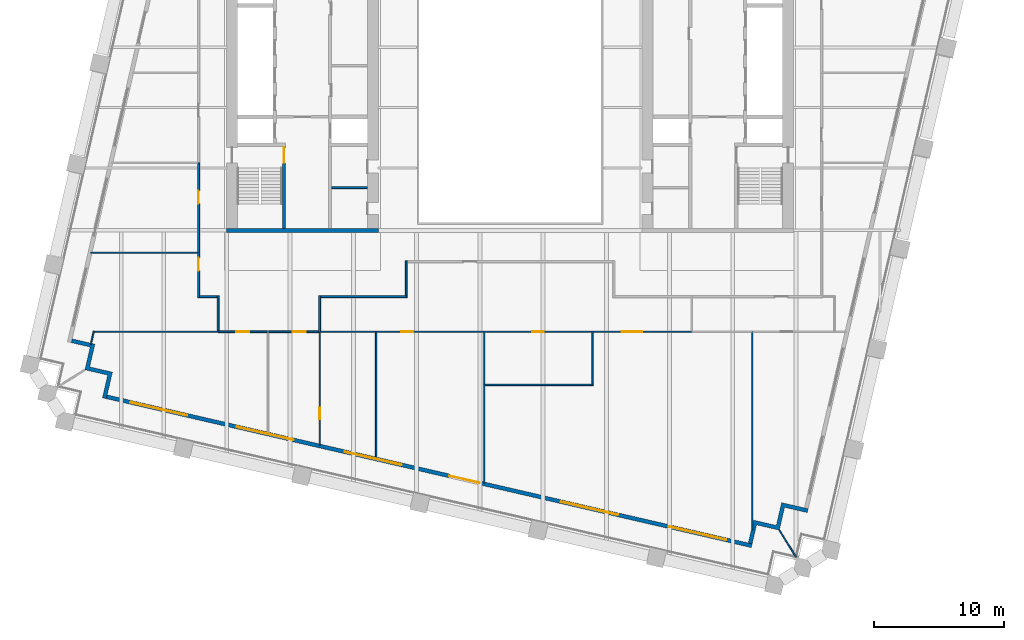
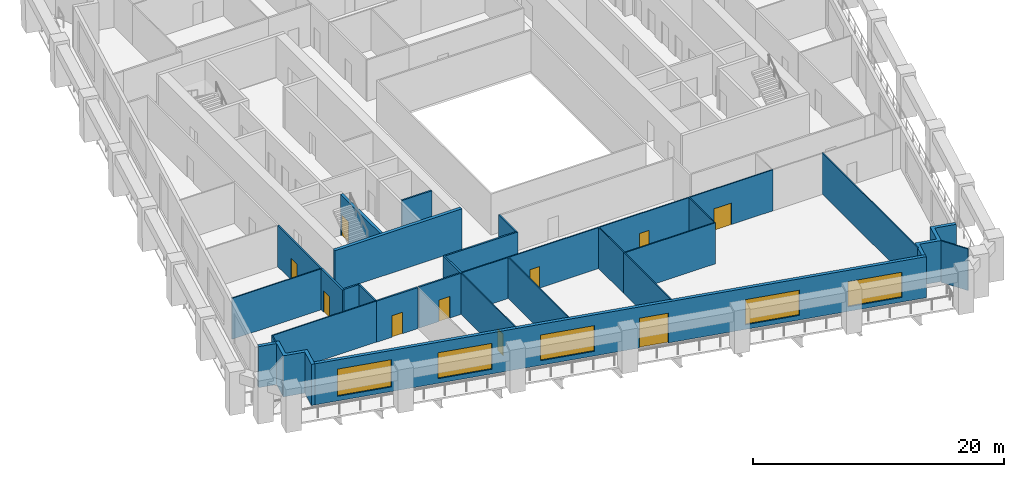
# One storey, part 4 of 11: 30 walls, 10 doors, 5 windows, 15 openings.
"""IFC4 building model written with IfcOpenShell, lengths in metres."""

import ifcopenshell
import ifcopenshell.guid

model = None  # the IFC model being written
_history = None  # IfcOwnerHistory: only IFC2X3 demands one
_inside = {}  # id of a spatial element -> (the spatial element, [elements in it])
_under = {}  # id of a project, library or spatial element -> (it, [spatial elements below it])
_declared = {}  # id of a project -> (the project, [libraries it declares])
_typed = {}  # id of a type object -> (the type object, [elements of that type])
_made_of = {}  # id of a material, layer set ... -> (it, [elements and type objects made of it])


def new_model(schema):
    """Start an empty IFC model of exactly this schema.

    Asked for "IFC4X3", IfcOpenShell would pick the latest addendum, in which some entities
    have other attributes; the version numbers below select the first issue.
    IFC2X3 requires an IfcOwnerHistory on every rooted entity: one is made here for all.
    """
    global model, _history
    if schema == "IFC4X3":
        model = ifcopenshell.file(schema_version=(4, 3, 0, 0))
    else:
        model = ifcopenshell.file(schema=schema)
    _inside.clear()
    _under.clear()
    _declared.clear()
    _typed.clear()
    _made_of.clear()
    _history = None
    if model.schema == "IFC2X3":
        org = make("IfcOrganization", Name="unknown")
        user = make(
            "IfcPersonAndOrganization",
            ThePerson=make("IfcPerson", FamilyName="unknown"),
            TheOrganization=org,
        )
        app = make(
            "IfcApplication",
            ApplicationDeveloper=org,
            Version="unknown",
            ApplicationFullName="unknown",
            ApplicationIdentifier="unknown",
        )
        _history = make(
            "IfcOwnerHistory",
            OwningUser=user,
            OwningApplication=app,
            ChangeAction="ADDED",
            CreationDate=0,
        )
    return model


def make(cls, **values):
    """One entity of the class cls with the attributes given. An attribute that is None is left unset."""
    return model.create_entity(
        cls, **{name: value for name, value in values.items() if value is not None}
    )


def rooted(cls, **values):
    """An entity with a GlobalId (a new one), such as an element, a storey or a relation."""
    return make(cls, GlobalId=ifcopenshell.guid.new(), OwnerHistory=_history, **values)


def si_unit(unit_type, name, prefix=None):
    """IfcSIUnit, for example si_unit("LENGTHUNIT", "METRE", prefix="MILLI")."""
    return make("IfcSIUnit", UnitType=unit_type, Prefix=prefix, Name=name)


def assignment(units):
    """IfcUnitAssignment: the units of a project."""
    return None if units is None else make("IfcUnitAssignment", Units=units)


def point(xyz):
    """IfcCartesianPoint."""
    return None if xyz is None else make("IfcCartesianPoint", Coordinates=xyz)


def direction(xyz):
    """IfcDirection."""
    return None if xyz is None else make("IfcDirection", DirectionRatios=xyz)


def frame(location, z_axis=None, x_axis=None):
    """IfcAxis2Placement3D, a coordinate frame: its origin and axes. An axis left out is left unset."""
    return make(
        "IfcAxis2Placement3D",
        Location=point(location),
        Axis=direction(z_axis),
        RefDirection=direction(x_axis),
    )


def frame_2d(location, x_axis=None):
    """IfcAxis2Placement2D, a coordinate frame in the plane: its origin and x axis."""
    return make(
        "IfcAxis2Placement2D", Location=point(location), RefDirection=direction(x_axis)
    )


def origin():
    """The frame at (0, 0, 0) with its axes left unset."""
    return frame((0.0, 0.0, 0.0))


def place(relative_to, where):
    """IfcLocalPlacement: puts the frame where relative to a parent placement (None: the world)."""
    return make(
        "IfcLocalPlacement", PlacementRelTo=relative_to, RelativePlacement=where
    )


def context(
    kind, dimensions, precision=None, world=None, true_north=None, identifier=None
):
    """IfcGeometricRepresentationContext, for example the 3D "Model" context."""
    return make(
        "IfcGeometricRepresentationContext",
        ContextIdentifier=identifier,
        ContextType=kind,
        CoordinateSpaceDimension=dimensions,
        Precision=precision,
        WorldCoordinateSystem=world,
        TrueNorth=true_north,
    )


def subcontext(parent, identifier, kind, view, scale=None):
    """IfcGeometricRepresentationSubContext, for example "Body" below "Model"."""
    return make(
        "IfcGeometricRepresentationSubContext",
        ContextIdentifier=identifier,
        ContextType=kind,
        ParentContext=parent,
        TargetScale=scale,
        TargetView=view,
    )


def project(units=None, contexts=None):
    """IfcProject with its units and contexts."""
    return rooted(
        "IfcProject",
        Name="project",
        RepresentationContexts=contexts,
        UnitsInContext=assignment(units),
    )


def spatial(cls, under=None, at=None, **own):
    """A site, building, storey or space (cls), placed at a placement, below another one or the project."""
    s = rooted(cls, ObjectPlacement=at, **own)
    if under is not None:
        _under.setdefault(under.id(), (under, []))[1].append(s)
    return s


def polyline(points):
    """IfcPolyline through the points."""
    return make("IfcPolyline", Points=[point(p) for p in points])


def profile(cls, at=None, kind="AREA", **sizes):
    """A parametric profile (cls). Its sizes go by their IFC names, for example OverallWidth=200.0."""
    return make(cls, ProfileType=kind, Position=at, **sizes)


def rectangle(**sizes):
    """IfcRectangleProfileDef."""
    return profile("IfcRectangleProfileDef", **sizes)


def outline(outer, holes=None, kind="AREA"):
    """IfcArbitraryClosedProfileDef: a profile drawn as a closed curve; with holes, ...WithVoids."""
    if holes is None:
        return make("IfcArbitraryClosedProfileDef", ProfileType=kind, OuterCurve=outer)
    return make(
        "IfcArbitraryProfileDefWithVoids",
        ProfileType=kind,
        OuterCurve=outer,
        InnerCurves=holes,
    )


def extrude(swept, where, along, depth):
    """IfcExtrudedAreaSolid: the profile swept, set in the frame where, extruded along a direction by depth."""
    return make(
        "IfcExtrudedAreaSolid",
        SweptArea=swept,
        Position=where,
        ExtrudedDirection=direction(along),
        Depth=depth,
    )


def shape(context_of_items, identifier, shape_type, items):
    """IfcShapeRepresentation: the items that make up one representation, for example the "Body"."""
    return make(
        "IfcShapeRepresentation",
        ContextOfItems=context_of_items,
        RepresentationIdentifier=identifier,
        RepresentationType=shape_type,
        Items=items,
    )


def material(Name=None, Category=None):
    """IfcMaterial."""
    return make("IfcMaterial", Name=Name, Category=Category)


def layer(
    of_material, thickness, ventilated=None, Name=None, Category=None, Priority=None
):
    """IfcMaterialLayer: one layer of a wall or slab, of a material (None: an air gap)."""
    return make(
        "IfcMaterialLayer",
        Material=of_material,
        LayerThickness=thickness,
        IsVentilated=ventilated,
        Name=Name,
        Category=Category,
        Priority=Priority,
    )


def layer_set(layers, Name=None):
    """IfcMaterialLayerSet."""
    return make("IfcMaterialLayerSet", MaterialLayers=layers, LayerSetName=Name)


def made_of(thing, what):
    """Note that an element or type object is made of a material, layer set ...; save() writes the relation."""
    if what is not None:
        _made_of.setdefault(what.id(), (what, []))[1].append(thing)
    return thing


def type_object(cls, material=None, **own):
    """A type object (cls), such as IfcWallType, which elements share."""
    return made_of(rooted(cls, **own), material)


def element(
    cls,
    number,
    at=None,
    inside=None,
    cuts=None,
    type_object=None,
    material=None,
    context=None,
    identifier="Body",
    shape_type=None,
    held_by="IfcProductDefinitionShape",
    body=None,
    shapes=None,
    **own,
):
    """One element of the class cls, such as IfcWall. Its Tag is "e" and its number.

    at: its placement. inside: the storey or other place that contains it. cuts: it is an
    opening in that element (IfcRelVoidsElement). A single representation is given by context,
    identifier, shape_type and body (its items); several are given by shapes. held_by: the class
    of the entity that holds the representations. save() writes the other relations.
    """
    e = rooted(cls, Tag="e%d" % number, ObjectPlacement=at, **own)
    if body is not None:
        shapes = [shape(context, identifier, shape_type, body)]
    if shapes is not None:
        e.Representation = make(held_by, Representations=shapes)
    if inside is not None:
        _inside.setdefault(inside.id(), (inside, []))[1].append(e)
    if cuts is not None:
        rooted(
            "IfcRelVoidsElement", RelatingBuildingElement=cuts, RelatedOpeningElement=e
        )
    if type_object is not None:
        _typed.setdefault(type_object.id(), (type_object, []))[1].append(e)
    return made_of(e, material)


def fill(opening, filler):
    """IfcRelFillsElement: the door or window that sits in an opening."""
    return rooted(
        "IfcRelFillsElement",
        RelatingOpeningElement=opening,
        RelatedBuildingElement=filler,
    )


def aggregate(whole, parts):
    """IfcRelAggregates: a whole, such as a stair, and the parts it consists of."""
    return rooted("IfcRelAggregates", RelatingObject=whole, RelatedObjects=parts)


def save(model, path):
    """Write the relations noted so far, then the file.

    IfcRelAggregates (storeys below a building ...), IfcRelContainedInSpatialStructure (elements
    in a storey), IfcRelDefinesByType, IfcRelAssociatesMaterial and IfcRelDeclares: one each for
    every whole, place, type object, material and project.
    """
    for whole, parts in _under.values():
        aggregate(whole, parts)
    for where, things in _inside.values():
        rooted(
            "IfcRelContainedInSpatialStructure",
            RelatedElements=things,
            RelatingStructure=where,
        )
    for kind, things in _typed.values():
        rooted("IfcRelDefinesByType", RelatedObjects=things, RelatingType=kind)
    for what, things in _made_of.values():
        rooted("IfcRelAssociatesMaterial", RelatedObjects=things, RelatingMaterial=what)
    for by, libraries in _declared.values():
        rooted("IfcRelDeclares", RelatingContext=by, RelatedDefinitions=libraries)
    model.write(path)


model = new_model("IFC4")

# Units and contexts
model_context = context("Model", 3, precision=1e-05, world=origin(), true_north=direction((0.0, 1.0)))
body_context = subcontext(model_context, "Body", "Model", "MODEL_VIEW")
ifc_project = project(units=[si_unit("LENGTHUNIT", "METRE"), si_unit("AREAUNIT", "SQUARE_METRE"), si_unit("VOLUMEUNIT", "CUBIC_METRE"), si_unit("PLANEANGLEUNIT", "RADIAN"), si_unit("MASSUNIT", "GRAM", prefix="KILO")], contexts=[model_context])

# Site, building, storey
site_placement = place(None, origin())
site = spatial("IfcSite", under=ifc_project, at=site_placement, CompositionType="ELEMENT")
building_placement = place(site_placement, origin())
building = spatial("IfcBuilding", under=site, at=building_placement, Name="Ogive Exchange Tower", CompositionType="ELEMENT")
storey_placement = place(building_placement, frame((0.0, 0.0, 109.800048828125)))
storey = spatial("IfcBuildingStorey", under=building, at=storey_placement, Name="L23", CompositionType="ELEMENT", Elevation=109.800048828125)

# Wall
ifc_material_1 = material(Name="Gypsum board partition")
ifc_layer_1 = layer(ifc_material_1, 0.14990234375)
ifc_layer_set_1 = layer_set([ifc_layer_1], Name="Core room partition 150 gypsum")
wall_type_1 = type_object("IfcWallType", Name="Core room partition 150 gypsum", PredefinedType="PARTITIONING", material=ifc_layer_set_1)
wall_1_placement = place(storey_placement, frame((-13.75, 0.699951171875, 0.0), z_axis=(0.0, 0.0, 1.0), x_axis=(1.0, 0.0, 0.0)))
element("IfcWall", 1, at=wall_1_placement, inside=storey, type_object=wall_type_1, Name="W south room partition", PredefinedType="PARTITIONING", context=body_context, shape_type="SweptSolid", body=[
    extrude(rectangle(XDim=2.75, YDim=0.14990234375, at=frame_2d((1.375, 0.0))), origin(), (0.0, 0.0, 1.0), 4.0),
])

# Wall, opening, door
ifc_material_2 = material(Name="Fire partition EI 60 150")
ifc_layer_2 = layer(ifc_material_2, 0.14990234375)
ifc_layer_set_2 = layer_set([ifc_layer_2], Name="Fire partition EI 60 150")
wall_type_2 = type_object("IfcWallType", Name="Fire partition EI 60 150", PredefinedType="PARTITIONING", material=ifc_layer_set_2)
wall_2_placement = place(storey_placement, frame((-24.0, -7.77490234375, 0.0), z_axis=(0.0, 0.0, 1.0), x_axis=(0.0, 1.0, 0.0)))
wall_2 = element("IfcWall", 2, at=wall_2_placement, inside=storey, type_object=wall_type_2, Name="L23-PWL-003", PredefinedType="PARTITIONING", context=body_context, shape_type="SweptSolid", body=[
    extrude(rectangle(XDim=3.454833984375, YDim=0.14990234375, at=frame_2d((1.7275390625, 0.0))), origin(), (0.0, 0.0, 1.0), 4.0),
])
opening_1_placement = place(wall_2_placement, frame((2.054931640625, 0.0, 0.0)))
opening_1 = element("IfcOpeningElement", 3, at=opening_1_placement, cuts=wall_2, Name="Opening L23-I21", PredefinedType="OPENING", context=body_context, shape_type="SweptSolid", body=[
    extrude(rectangle(XDim=1.0, YDim=2.10009765625, at=frame_2d((0.5, 1.050048828125))), frame((0.0, 0.0849609375, 0.0), z_axis=(0.0, -1.0, 0.0), x_axis=(1.0, 0.0, 0.0)), (0.0, 0.0, 1.0), 0.169921875),
])
ifc_material_3 = material(Name="Fire door FD 30S 1000 x 2100")
door_type_1 = type_object("IfcDoorType", Name="Fire door FD 30S 1000 x 2100", OperationType="NOTDEFINED", PredefinedType="DOOR", material=ifc_material_3)
door_1_placement = place(opening_1_placement, origin())
door_1 = element("IfcDoor", 4, at=door_1_placement, inside=storey, type_object=door_type_1, Name="L23-IDR-021", ObjectType="DT3", OperationType="SINGLE_SWING_LEFT", OverallHeight=2.10009765625, OverallWidth=1.0, PredefinedType="DOOR", context=body_context, shape_type="SweptSolid", body=[
    extrude(rectangle(XDim=1.0, YDim=2.10009765625, at=frame_2d((0.5, 1.050048828125))), frame((0.0, 0.02490234375, 0.0), z_axis=(0.0, -1.0, 0.0), x_axis=(1.0, 0.0, 0.0)), (0.0, 0.0, 1.0), 0.050048828125),
])
fill(opening_1, door_1)

wall_3_placement = place(storey_placement, frame((-24.0, -4.320068359375, 0.0), z_axis=(0.0, 0.0, 1.0), x_axis=(0.0, 1.0, 0.0)))
wall_3 = element("IfcWall", 5, at=wall_3_placement, inside=storey, type_object=wall_type_2, Name="L23-PWL-005", PredefinedType="PARTITIONING", context=body_context, shape_type="SweptSolid", body=[
    extrude(rectangle(XDim=6.93017578125, YDim=0.14990234375, at=frame_2d((3.465087890625, 0.0))), origin(), (0.0, 0.0, 1.0), 4.0),
])
opening_2_placement = place(wall_3_placement, frame((3.780029296875, 0.0, 0.0)))
opening_2 = element("IfcOpeningElement", 6, at=opening_2_placement, cuts=wall_3, Name="Opening L23-I20", PredefinedType="OPENING", context=body_context, shape_type="SweptSolid", body=[
    extrude(rectangle(XDim=1.0, YDim=2.10009765625, at=frame_2d((0.5, 1.050048828125))), frame((0.0, 0.0849609375, 0.0), z_axis=(0.0, -1.0, 0.0), x_axis=(1.0, 0.0, 0.0)), (0.0, 0.0, 1.0), 0.169921875),
])
door_2_placement = place(opening_2_placement, origin())
door_2 = element("IfcDoor", 7, at=door_2_placement, inside=storey, type_object=door_type_1, Name="L23-IDR-020", ObjectType="DT3", OperationType="SINGLE_SWING_LEFT", OverallHeight=2.10009765625, OverallWidth=1.0, PredefinedType="DOOR", context=body_context, shape_type="SweptSolid", body=[
    extrude(rectangle(XDim=1.0, YDim=2.10009765625, at=frame_2d((0.5, 1.050048828125))), frame((0.0, 0.02490234375, 0.0), z_axis=(0.0, -1.0, 0.0), x_axis=(1.0, 0.0, 0.0)), (0.0, 0.0, 1.0), 0.050048828125),
])
fill(opening_2, door_2)

# Walls
wall_4_placement = place(storey_placement, frame((-22.5, -10.360107421875, 0.0), z_axis=(0.0, 0.0, 1.0), x_axis=(0.0, 1.0, 0.0)))
element("IfcWall", 8, at=wall_4_placement, inside=storey, type_object=wall_type_2, Name="L23-PWL-013", PredefinedType="PARTITIONING", context=body_context, shape_type="SweptSolid", body=[
    extrude(rectangle(XDim=2.735107421875, YDim=0.14990234375, at=frame_2d((1.36767578125, 0.0))), origin(), (0.0, 0.0, 1.0), 4.0),
])
wall_5_placement = place(storey_placement, frame((-22.574951171875, -7.699951171875, 0.0), z_axis=(0.0, 0.0, 1.0), x_axis=(-1.0, 0.0, 0.0)))
element("IfcWall", 9, at=wall_5_placement, inside=storey, type_object=wall_type_2, Name="L23-PWL-014", PredefinedType="PARTITIONING", context=body_context, shape_type="SweptSolid", body=[
    extrude(rectangle(XDim=1.35009765625, YDim=0.14990234375, at=frame_2d((0.675048828125, 0.0))), origin(), (0.0, 0.0, 1.0), 4.0),
])

# Wall, opening, door
wall_6_placement = place(storey_placement, frame((-18.699951171875, -10.409912109375, 0.0), z_axis=(0.0, 0.0, 1.0), x_axis=(-1.0, 0.0, 0.0)))
wall_6 = element("IfcWall", 10, at=wall_6_placement, inside=storey, type_object=wall_type_2, Name="L23-PWL-016", PredefinedType="PARTITIONING", context=body_context, shape_type="SweptSolid", body=[
    extrude(rectangle(XDim=3.800048828125, YDim=0.14990234375, at=frame_2d((1.89990234375, 0.0))), origin(), (0.0, 0.0, 1.0), 4.0),
])
opening_3_placement = place(wall_6_placement, frame((1.39990234375, 0.0, 0.0)))
opening_3 = element("IfcOpeningElement", 11, at=opening_3_placement, cuts=wall_6, Name="Opening L23-I28", PredefinedType="OPENING", context=body_context, shape_type="SweptSolid", body=[
    extrude(rectangle(XDim=1.0, YDim=2.10009765625, at=frame_2d((0.5, 1.050048828125))), frame((0.0, 0.0849609375, 0.0), z_axis=(0.0, -1.0, 0.0), x_axis=(1.0, 0.0, 0.0)), (0.0, 0.0, 1.0), 0.169921875),
])
door_3_placement = place(opening_3_placement, origin())
door_3 = element("IfcDoor", 12, at=door_3_placement, inside=storey, type_object=door_type_1, Name="L23-IDR-028", ObjectType="DT3", OperationType="SINGLE_SWING_RIGHT", OverallHeight=2.10009765625, OverallWidth=1.0, PredefinedType="DOOR", context=body_context, shape_type="SweptSolid", body=[
    extrude(rectangle(XDim=1.0, YDim=2.10009765625, at=frame_2d((0.5, 1.050048828125))), frame((0.0, 0.02490234375, 0.0), z_axis=(0.0, -1.0, 0.0), x_axis=(1.0, 0.0, 0.0)), (0.0, 0.0, 1.0), 0.050048828125),
])
fill(opening_3, door_3)

wall_7_placement = place(storey_placement, frame((-14.719970703125, -10.409912109375, 0.0), z_axis=(0.0, 0.0, 1.0), x_axis=(-1.0, 0.0, 0.0)))
wall_7 = element("IfcWall", 13, at=wall_7_placement, inside=storey, type_object=wall_type_2, Name="L23-PWL-023", PredefinedType="PARTITIONING", context=body_context, shape_type="SweptSolid", body=[
    extrude(rectangle(XDim=3.880126953125, YDim=0.14990234375, at=frame_2d((1.93994140625, 0.0))), origin(), (0.0, 0.0, 1.0), 4.0),
])
opening_4_placement = place(wall_7_placement, frame((1.030029296875, 0.0, 0.0)))
opening_4 = element("IfcOpeningElement", 14, at=opening_4_placement, cuts=wall_7, Name="Opening L23-I27", PredefinedType="OPENING", context=body_context, shape_type="SweptSolid", body=[
    extrude(rectangle(XDim=1.0, YDim=2.10009765625, at=frame_2d((0.5, 1.050048828125))), frame((0.0, 0.0849609375, 0.0), z_axis=(0.0, -1.0, 0.0), x_axis=(1.0, 0.0, 0.0)), (0.0, 0.0, 1.0), 0.169921875),
])
door_4_placement = place(opening_4_placement, origin())
door_4 = element("IfcDoor", 15, at=door_4_placement, inside=storey, type_object=door_type_1, Name="L23-IDR-027", ObjectType="DT3", OperationType="SINGLE_SWING_RIGHT", OverallHeight=2.10009765625, OverallWidth=1.0, PredefinedType="DOOR", context=body_context, shape_type="SweptSolid", body=[
    extrude(rectangle(XDim=1.0, YDim=2.10009765625, at=frame_2d((0.5, 1.050048828125))), frame((0.0, 0.02490234375, 0.0), z_axis=(0.0, -1.0, 0.0), x_axis=(1.0, 0.0, 0.0)), (0.0, 0.0, 1.0), 0.050048828125),
])
fill(opening_4, door_4)

# Walls
wall_8_placement = place(storey_placement, frame((-14.669921875, -7.625, 0.0), z_axis=(0.0, 0.0, 1.0), x_axis=(0.0, -1.0, 0.0)))
element("IfcWall", 16, at=wall_8_placement, inside=storey, type_object=wall_type_2, Name="L23-PWL-024", PredefinedType="PARTITIONING", context=body_context, shape_type="SweptSolid", body=[
    extrude(rectangle(XDim=2.8349609375, YDim=0.14990234375, at=frame_2d((1.41748046875, 0.0))), origin(), (0.0, 0.0, 1.0), 4.0),
])
wall_9_placement = place(storey_placement, frame((-7.925048828125, -7.699951171875, 0.0), z_axis=(0.0, 0.0, 1.0), x_axis=(-1.0, 0.0, 0.0)))
element("IfcWall", 17, at=wall_9_placement, inside=storey, type_object=wall_type_2, Name="L23-PWL-030", PredefinedType="PARTITIONING", context=body_context, shape_type="SweptSolid", body=[
    extrude(rectangle(XDim=6.669921875, YDim=0.14990234375, at=frame_2d((3.3349609375, 0.0))), origin(), (0.0, 0.0, 1.0), 4.0),
])
wall_10_placement = place(storey_placement, frame((-8.0, -4.925048828125, 0.0), z_axis=(0.0, 0.0, 1.0), x_axis=(0.0, -1.0, 0.0)))
element("IfcWall", 18, at=wall_10_placement, inside=storey, type_object=wall_type_2, Name="L23-PWL-031", PredefinedType="PARTITIONING", context=body_context, shape_type="SweptSolid", body=[
    extrude(rectangle(XDim=2.699951171875, YDim=0.14990234375, at=frame_2d((1.35009765625, 0.0))), origin(), (0.0, 0.0, 1.0), 4.0),
])

# Wall, openings, door, windows
ifc_material_4 = material(Name="Precast concrete C40/50", Category="concrete")
ifc_layer_3 = layer(ifc_material_4, 0.300048828125)
ifc_layer_set_3 = layer_set([ifc_layer_3], Name="Limestone-faced wall 300")
wall_type_3 = type_object("IfcWallType", Name="Limestone-faced wall 300", PredefinedType="STANDARD", material=ifc_layer_set_3)
wall_11_placement = place(storey_placement, frame((-31.07763671875, -15.4208984375, 0.0), z_axis=(0.0, 0.0, 1.0), x_axis=(0.974370456532, -0.224949357493, 0.0)))
wall_11 = element("IfcWall", 19, at=wall_11_placement, inside=storey, type_object=wall_type_3, Name="External wall S1", PredefinedType="STANDARD", context=body_context, shape_type="SweptSolid", body=[
    extrude(rectangle(XDim=51.0, YDim=0.300048828125, at=frame_2d((25.5, 0.0))), origin(), (0.0, 0.0, 1.0), 4.0),
])
opening_5_placement = place(wall_11_placement, frame((1.875, 0.0, 0.449951171875)))
opening_5 = element("IfcOpeningElement", 20, at=opening_5_placement, cuts=wall_11, Name="Opening W1K", PredefinedType="OPENING", context=body_context, shape_type="SweptSolid", body=[
    extrude(rectangle(XDim=4.5, YDim=2.64990234375, at=frame_2d((2.25, 1.324951171875))), frame((0.0, 0.159912109375, 0.0), z_axis=(0.0, -1.0, 0.0), x_axis=(1.0, 0.0, 0.0)), (0.0, 0.0, 1.0), 0.320068359375),
])
opening_6_placement = place(wall_11_placement, frame((10.27490234375, 0.0, 0.449951171875)))
opening_6 = element("IfcOpeningElement", 21, at=opening_6_placement, cuts=wall_11, Name="Opening W1N", PredefinedType="OPENING", context=body_context, shape_type="SweptSolid", body=[
    extrude(rectangle(XDim=4.5, YDim=2.52490234375, at=frame_2d((2.25, 1.262451171875))), frame((0.0, 0.159912109375, 0.0), z_axis=(0.0, -1.0, 0.0), x_axis=(1.0, 0.0, 0.0)), (0.0, 0.0, 1.0), 0.320068359375),
])
opening_7_placement = place(wall_11_placement, frame((18.824951171875, 0.0, 0.449951171875)))
opening_7 = element("IfcOpeningElement", 22, at=opening_7_placement, cuts=wall_11, Name="Opening W1O", PredefinedType="OPENING", context=body_context, shape_type="SweptSolid", body=[
    extrude(rectangle(XDim=4.5, YDim=2.5, at=frame_2d((2.25, 1.25))), frame((0.0, 0.159912109375, 0.0), z_axis=(0.0, -1.0, 0.0), x_axis=(1.0, 0.0, 0.0)), (0.0, 0.0, 1.0), 0.320068359375),
])
opening_8_placement = place(wall_11_placement, frame((27.074951171875, 0.0, 0.0)))
opening_8 = element("IfcOpeningElement", 23, at=opening_8_placement, cuts=wall_11, Name="Opening D1P", PredefinedType="OPENING", context=body_context, shape_type="SweptSolid", body=[
    extrude(rectangle(XDim=2.39990234375, YDim=2.89990234375, at=frame_2d((1.199951171875, 1.449951171875))), frame((0.0, 0.159912109375, 0.0), z_axis=(0.0, -1.0, 0.0), x_axis=(1.0, 0.0, 0.0)), (0.0, 0.0, 1.0), 0.320068359375),
])
opening_9_placement = place(wall_11_placement, frame((35.925048828125, 0.0, 0.449951171875)))
opening_9 = element("IfcOpeningElement", 24, at=opening_9_placement, cuts=wall_11, Name="Opening W1Q", PredefinedType="OPENING", context=body_context, shape_type="SweptSolid", body=[
    extrude(rectangle(XDim=4.5, YDim=2.449951171875, at=frame_2d((2.25, 1.22509765625))), frame((0.0, 0.159912109375, 0.0), z_axis=(0.0, -1.0, 0.0), x_axis=(1.0, 0.0, 0.0)), (0.0, 0.0, 1.0), 0.320068359375),
])
opening_10_placement = place(wall_11_placement, frame((44.47509765625, 0.0, 0.449951171875)))
opening_10 = element("IfcOpeningElement", 25, at=opening_10_placement, cuts=wall_11, Name="Opening W1Q", PredefinedType="OPENING", context=body_context, shape_type="SweptSolid", body=[
    extrude(rectangle(XDim=4.5, YDim=2.449951171875, at=frame_2d((2.25, 1.22509765625))), frame((0.0, 0.159912109375, 0.0), z_axis=(0.0, -1.0, 0.0), x_axis=(1.0, 0.0, 0.0)), (0.0, 0.0, 1.0), 0.320068359375),
])
ifc_material_5 = material(Name="Clear glass in bronze frame", Category="glass")
door_type_2 = type_object("IfcDoorType", Name="Sliding loggia door 2400 x 2900", OperationType="DOUBLE_DOOR_SLIDING", PredefinedType="DOOR", material=ifc_material_5)
door_5_placement = place(opening_8_placement, origin())
door_5 = element("IfcDoor", 26, at=door_5_placement, inside=storey, type_object=door_type_2, Name="Loggia door S03", OperationType="DOUBLE_DOOR_SLIDING", OverallHeight=2.89990234375, OverallWidth=2.39990234375, PredefinedType="DOOR", context=body_context, shape_type="SweptSolid", body=[
    extrude(rectangle(XDim=2.39990234375, YDim=2.89990234375, at=frame_2d((1.199951171875, 1.449951171875))), frame((0.0, 0.02490234375, 0.0), z_axis=(0.0, -1.0, 0.0), x_axis=(1.0, 0.0, 0.0)), (0.0, 0.0, 1.0), 0.050048828125),
])
fill(opening_8, door_5)
window_type_1 = type_object("IfcWindowType", Name="Twin lancet window 4500 x 2450", PartitioningType="DOUBLE_PANEL_VERTICAL", PredefinedType="WINDOW", material=ifc_material_5)
window_1_placement = place(opening_9_placement, origin())
window_1 = element("IfcWindow", 27, at=window_1_placement, inside=storey, type_object=window_type_1, Name="Window S04", OverallHeight=2.449951171875, OverallWidth=4.5, PartitioningType="DOUBLE_PANEL_VERTICAL", PredefinedType="WINDOW", context=body_context, shape_type="SweptSolid", body=[
    extrude(rectangle(XDim=4.5, YDim=2.449951171875, at=frame_2d((2.25, 1.22509765625))), frame((0.0, 0.030029296875, 0.0), z_axis=(0.0, -1.0, 0.0), x_axis=(1.0, 0.0, 0.0)), (0.0, 0.0, 1.0), 0.06005859375),
])
fill(opening_9, window_1)
window_2_placement = place(opening_10_placement, origin())
window_2 = element("IfcWindow", 28, at=window_2_placement, inside=storey, type_object=window_type_1, Name="Window S05", OverallHeight=2.449951171875, OverallWidth=4.5, PartitioningType="DOUBLE_PANEL_VERTICAL", PredefinedType="WINDOW", context=body_context, shape_type="SweptSolid", body=[
    extrude(rectangle(XDim=4.5, YDim=2.449951171875, at=frame_2d((2.25, 1.22509765625))), frame((0.0, 0.030029296875, 0.0), z_axis=(0.0, -1.0, 0.0), x_axis=(1.0, 0.0, 0.0)), (0.0, 0.0, 1.0), 0.06005859375),
])
fill(opening_10, window_2)
window_type_2 = type_object("IfcWindowType", Name="Twin lancet window 4500 x 2500", PartitioningType="DOUBLE_PANEL_VERTICAL", PredefinedType="WINDOW", material=ifc_material_5)
window_3_placement = place(opening_7_placement, origin())
window_3 = element("IfcWindow", 29, at=window_3_placement, inside=storey, type_object=window_type_2, Name="Window S02", OverallHeight=2.5, OverallWidth=4.5, PartitioningType="DOUBLE_PANEL_VERTICAL", PredefinedType="WINDOW", context=body_context, shape_type="SweptSolid", body=[
    extrude(rectangle(XDim=4.5, YDim=2.5, at=frame_2d((2.25, 1.25))), frame((0.0, 0.030029296875, 0.0), z_axis=(0.0, -1.0, 0.0), x_axis=(1.0, 0.0, 0.0)), (0.0, 0.0, 1.0), 0.06005859375),
])
fill(opening_7, window_3)
window_type_3 = type_object("IfcWindowType", Name="Twin lancet window 4500 x 2525", PartitioningType="DOUBLE_PANEL_VERTICAL", PredefinedType="WINDOW", material=ifc_material_5)
window_4_placement = place(opening_6_placement, origin())
window_4 = element("IfcWindow", 30, at=window_4_placement, inside=storey, type_object=window_type_3, Name="Window S01", OverallHeight=2.52490234375, OverallWidth=4.5, PartitioningType="DOUBLE_PANEL_VERTICAL", PredefinedType="WINDOW", context=body_context, shape_type="SweptSolid", body=[
    extrude(rectangle(XDim=4.5, YDim=2.52490234375, at=frame_2d((2.25, 1.262451171875))), frame((0.0, 0.030029296875, 0.0), z_axis=(0.0, -1.0, 0.0), x_axis=(1.0, 0.0, 0.0)), (0.0, 0.0, 1.0), 0.06005859375),
])
fill(opening_6, window_4)
window_type_4 = type_object("IfcWindowType", Name="Twin lancet window 4500 x 2650", PartitioningType="DOUBLE_PANEL_VERTICAL", PredefinedType="WINDOW", material=ifc_material_5)
window_5_placement = place(opening_5_placement, origin())
window_5 = element("IfcWindow", 31, at=window_5_placement, inside=storey, type_object=window_type_4, Name="Window S00", OverallHeight=2.64990234375, OverallWidth=4.5, PartitioningType="DOUBLE_PANEL_VERTICAL", PredefinedType="WINDOW", context=body_context, shape_type="SweptSolid", body=[
    extrude(rectangle(XDim=4.5, YDim=2.64990234375, at=frame_2d((2.25, 1.324951171875))), frame((0.0, 0.030029296875, 0.0), z_axis=(0.0, -1.0, 0.0), x_axis=(1.0, 0.0, 0.0)), (0.0, 0.0, 1.0), 0.06005859375),
])
fill(opening_5, window_5)

# Walls
wall_12_placement = place(storey_placement, origin())
element("IfcWall", 32, at=wall_12_placement, inside=storey, type_object=wall_type_3, Name="External corner wall C1", PredefinedType="STANDARD", context=body_context, shape_type="SweptSolid", body=[
    extrude(outline(polyline([(20.515380859375, -25.330810546875), (20.92041015625, -23.576904296875), (22.966552734375, -24.04931640625), (22.89892578125, -24.341552734375), (21.145263671875, -23.936767578125), (20.740234375, -25.690673828125), (18.986328125, -25.28564453125), (18.64892578125, -26.747314453125), (18.356689453125, -26.6796875), (18.76171875, -24.92578125), (20.515380859375, -25.330810546875)])), origin(), (0.0, 0.0, 1.0), 4.0),
])
wall_13_placement = place(storey_placement, origin())
element("IfcWall", 33, at=wall_13_placement, inside=storey, type_object=wall_type_3, Name="External corner wall C4", PredefinedType="STANDARD", context=body_context, shape_type="SweptSolid", body=[
    extrude(outline(polyline([(-32.392822265625, -13.115966796875), (-30.638916015625, -13.52099609375), (-31.111328125, -15.56689453125), (-31.40380859375, -15.49951171875), (-30.998779296875, -13.74560546875), (-32.752685546875, -13.3408203125), (-32.34765625, -11.5869140625), (-33.809326171875, -11.24951171875), (-33.74169921875, -10.957275390625), (-31.98779296875, -11.362060546875), (-32.392822265625, -13.115966796875)])), origin(), (0.0, 0.0, 1.0), 4.0),
])
ifc_material_6 = material(Name="Laminated safety glass in steel frame", Category="steel")
ifc_layer_4 = layer(ifc_material_6, 0.10009765625)
ifc_layer_set_4 = layer_set([ifc_layer_4], Name="Loggia end screen 100")
wall_type_4 = type_object("IfcWallType", Name="Loggia end screen 100", PredefinedType="STANDARD", material=ifc_layer_set_4)
wall_14_placement = place(storey_placement, frame((20.740234375, -25.690673828125, -0.050048828125), z_axis=(0.0, 0.0, 1.0), x_axis=(0.529972121605, -0.848015064914, 0.0)))
element("IfcWall", 34, at=wall_14_placement, inside=storey, type_object=wall_type_4, Name="Loggia end screen C1", PredefinedType="STANDARD", context=body_context, shape_type="SweptSolid", body=[
    extrude(rectangle(XDim=2.454833984375, YDim=0.10009765625, at=frame_2d((1.2275390625, 0.0))), origin(), (0.0, 0.0, 1.0), 4.050048828125),
])
ifc_material_7 = material(Name="Partition 100 gypsum")
ifc_layer_5 = layer(ifc_material_7, 0.10009765625)
ifc_layer_set_5 = layer_set([ifc_layer_5], Name="Partition 100 gypsum")
wall_type_5 = type_object("IfcWallType", Name="Partition 100 gypsum", PredefinedType="PARTITIONING", material=ifc_layer_set_5)
wall_15_placement = place(storey_placement, frame((-32.069091796875, -10.361083984375, 0.0), z_axis=(0.0, 0.0, 1.0), x_axis=(-0.222987762652, -0.974821243976, 0.0)))
element("IfcWall", 35, at=wall_15_placement, inside=storey, type_object=wall_type_5, Name="L23-PWL-001", PredefinedType="PARTITIONING", context=body_context, shape_type="SweptSolid", body=[
    extrude(rectangle(XDim=1.0576171875, YDim=0.10009765625, at=frame_2d((0.52880859375, 0.0))), origin(), (0.0, 0.0, 1.0), 4.0),
])
wall_16_placement = place(storey_placement, frame((-24.074951171875, -4.320068359375, 0.0), z_axis=(0.0, 0.0, 1.0), x_axis=(-1.0, 0.0, 0.0)))
element("IfcWall", 36, at=wall_16_placement, inside=storey, type_object=wall_type_5, Name="L23-PWL-004", PredefinedType="PARTITIONING", context=body_context, shape_type="SweptSolid", body=[
    extrude(rectangle(XDim=8.217041015625, YDim=0.10009765625, at=frame_2d((4.1083984375, 0.0))), origin(), (0.0, 0.0, 1.0), 4.0),
])
wall_17_placement = place(storey_placement, frame((-22.5, -10.409912109375, 0.0), z_axis=(0.0, 0.0, 1.0), x_axis=(-1.0, 0.0, 0.0)))
element("IfcWall", 37, at=wall_17_placement, inside=storey, type_object=wall_type_5, Name="L23-PWL-012", PredefinedType="PARTITIONING", context=body_context, shape_type="SweptSolid", body=[
    extrude(rectangle(XDim=9.530029296875, YDim=0.10009765625, at=frame_2d((4.76513671875, 0.0))), origin(), (0.0, 0.0, 1.0), 4.0),
])

# Wall, opening, door
wall_18_placement = place(storey_placement, frame((-14.669921875, -19.137939453125, 0.0), z_axis=(0.0, 0.0, 1.0), x_axis=(0.0, 1.0, 0.0)))
wall_18 = element("IfcWall", 38, at=wall_18_placement, inside=storey, type_object=wall_type_5, Name="L23-PWL-022", PredefinedType="PARTITIONING", context=body_context, shape_type="SweptSolid", body=[
    extrude(rectangle(XDim=8.677978515625, YDim=0.10009765625, at=frame_2d((4.3388671875, 0.0))), origin(), (0.0, 0.0, 1.0), 4.0),
])
opening_11_placement = place(wall_18_placement, frame((1.97802734375, 0.0, 0.0)))
opening_11 = element("IfcOpeningElement", 39, at=opening_11_placement, cuts=wall_18, Name="Opening L23-I26", PredefinedType="OPENING", context=body_context, shape_type="SweptSolid", body=[
    extrude(rectangle(XDim=0.89990234375, YDim=2.10009765625, at=frame_2d((0.449951171875, 1.050048828125))), frame((0.0, 0.06005859375, 0.0), z_axis=(0.0, -1.0, 0.0), x_axis=(1.0, 0.0, 0.0)), (0.0, 0.0, 1.0), 0.1201171875),
])
ifc_material_8 = material(Name="Door 900 x 2100")
door_type_3 = type_object("IfcDoorType", Name="Door 900 x 2100", OperationType="NOTDEFINED", PredefinedType="DOOR", material=ifc_material_8)
door_6_placement = place(opening_11_placement, origin())
door_6 = element("IfcDoor", 40, at=door_6_placement, inside=storey, type_object=door_type_3, Name="L23-IDR-026", ObjectType="DT1", OperationType="SINGLE_SWING_RIGHT", OverallHeight=2.10009765625, OverallWidth=0.89990234375, PredefinedType="DOOR", context=body_context, shape_type="SweptSolid", body=[
    extrude(rectangle(XDim=0.89990234375, YDim=2.10009765625, at=frame_2d((0.449951171875, 1.050048828125))), frame((0.0, 0.02490234375, 0.0), z_axis=(0.0, -1.0, 0.0), x_axis=(1.0, 0.0, 0.0)), (0.0, 0.0, 1.0), 0.050048828125),
])
fill(opening_11, door_6)

# Walls
wall_19_placement = place(storey_placement, frame((-10.320068359375, -20.14208984375, 0.0), z_axis=(0.0, 0.0, 1.0), x_axis=(0.0, 1.0, 0.0)))
element("IfcWall", 41, at=wall_19_placement, inside=storey, type_object=wall_type_5, Name="L23-PWL-025", PredefinedType="PARTITIONING", context=body_context, shape_type="SweptSolid", body=[
    extrude(rectangle(XDim=9.781982421875, YDim=0.10009765625, at=frame_2d((4.89111328125, 0.0))), origin(), (0.0, 0.0, 1.0), 4.0),
])
wall_20_placement = place(storey_placement, frame((-10.3701171875, -10.409912109375, 0.0), z_axis=(0.0, 0.0, 1.0), x_axis=(-1.0, 0.0, 0.0)))
element("IfcWall", 42, at=wall_20_placement, inside=storey, type_object=wall_type_5, Name="L23-PWL-026", PredefinedType="PARTITIONING", context=body_context, shape_type="SweptSolid", body=[
    extrude(rectangle(XDim=4.25, YDim=0.10009765625, at=frame_2d((2.125, 0.0))), origin(), (0.0, 0.0, 1.0), 4.0),
])
wall_21_placement = place(storey_placement, frame((-1.989990234375, -22.06494140625, 0.0), z_axis=(0.0, 0.0, 1.0), x_axis=(0.0, 1.0, 0.0)))
element("IfcWall", 43, at=wall_21_placement, inside=storey, type_object=wall_type_5, Name="L23-PWL-042", PredefinedType="PARTITIONING", context=body_context, shape_type="SweptSolid", body=[
    extrude(rectangle(XDim=7.614990234375, YDim=0.10009765625, at=frame_2d((3.8076171875, 0.0))), origin(), (0.0, 0.0, 1.0), 4.0),
])
wall_22_placement = place(storey_placement, frame((-1.989990234375, -14.449951171875, 0.0), z_axis=(0.0, 0.0, 1.0), x_axis=(0.0, 1.0, 0.0)))
element("IfcWall", 44, at=wall_22_placement, inside=storey, type_object=wall_type_5, Name="L23-PWL-043", PredefinedType="PARTITIONING", context=body_context, shape_type="SweptSolid", body=[
    extrude(rectangle(XDim=4.08984375, YDim=0.10009765625, at=frame_2d((2.044921875, 0.0))), origin(), (0.0, 0.0, 1.0), 4.0),
])
wall_23_placement = place(storey_placement, frame((-1.93994140625, -14.5, 0.0), z_axis=(0.0, 0.0, 1.0), x_axis=(1.0, 0.0, 0.0)))
element("IfcWall", 45, at=wall_23_placement, inside=storey, type_object=wall_type_5, Name="L23-PWL-044", PredefinedType="PARTITIONING", context=body_context, shape_type="SweptSolid", body=[
    extrude(rectangle(XDim=8.329833984375, YDim=0.10009765625, at=frame_2d((4.1650390625, 0.0))), origin(), (0.0, 0.0, 1.0), 4.0),
])

# Wall, opening, door
wall_24_placement = place(storey_placement, frame((-2.0400390625, -10.409912109375, 0.0), z_axis=(0.0, 0.0, 1.0), x_axis=(-1.0, 0.0, 0.0)))
wall_24 = element("IfcWall", 46, at=wall_24_placement, inside=storey, type_object=wall_type_5, Name="L23-PWL-045", PredefinedType="PARTITIONING", context=body_context, shape_type="SweptSolid", body=[
    extrude(rectangle(XDim=8.22998046875, YDim=0.10009765625, at=frame_2d((4.114990234375, 0.0))), origin(), (0.0, 0.0, 1.0), 4.0),
])
opening_12_placement = place(wall_24_placement, frame((5.429931640625, 0.0, 0.0)))
opening_12 = element("IfcOpeningElement", 47, at=opening_12_placement, cuts=wall_24, Name="Opening L23-I25", PredefinedType="OPENING", context=body_context, shape_type="SweptSolid", body=[
    extrude(rectangle(XDim=0.89990234375, YDim=2.10009765625, at=frame_2d((0.449951171875, 1.050048828125))), frame((0.0, 0.06005859375, 0.0), z_axis=(0.0, -1.0, 0.0), x_axis=(1.0, 0.0, 0.0)), (0.0, 0.0, 1.0), 0.1201171875),
])
door_7_placement = place(opening_12_placement, origin())
door_7 = element("IfcDoor", 48, at=door_7_placement, inside=storey, type_object=door_type_3, Name="L23-IDR-025", ObjectType="DT1", OperationType="SINGLE_SWING_LEFT", OverallHeight=2.10009765625, OverallWidth=0.89990234375, PredefinedType="DOOR", context=body_context, shape_type="SweptSolid", body=[
    extrude(rectangle(XDim=0.89990234375, YDim=2.10009765625, at=frame_2d((0.449951171875, 1.050048828125))), frame((0.0, 0.02490234375, 0.0), z_axis=(0.0, -1.0, 0.0), x_axis=(1.0, 0.0, 0.0)), (0.0, 0.0, 1.0), 0.050048828125),
])
fill(opening_12, door_7)

# Wall
wall_25_placement = place(storey_placement, frame((6.340087890625, -14.449951171875, 0.0), z_axis=(0.0, 0.0, 1.0), x_axis=(0.0, 1.0, 0.0)))
element("IfcWall", 49, at=wall_25_placement, inside=storey, type_object=wall_type_5, Name="L23-PWL-049", PredefinedType="PARTITIONING", context=body_context, shape_type="SweptSolid", body=[
    extrude(rectangle(XDim=4.08984375, YDim=0.10009765625, at=frame_2d((2.044921875, 0.0))), origin(), (0.0, 0.0, 1.0), 4.0),
])

# Wall, opening, door
wall_26_placement = place(storey_placement, frame((6.2900390625, -10.409912109375, 0.0), z_axis=(0.0, 0.0, 1.0), x_axis=(-1.0, 0.0, 0.0)))
wall_26 = element("IfcWall", 50, at=wall_26_placement, inside=storey, type_object=wall_type_5, Name="L23-PWL-050", PredefinedType="PARTITIONING", context=body_context, shape_type="SweptSolid", body=[
    extrude(rectangle(XDim=8.22998046875, YDim=0.10009765625, at=frame_2d((4.114990234375, 0.0))), origin(), (0.0, 0.0, 1.0), 4.0),
])
opening_13_placement = place(wall_26_placement, frame((3.679931640625, 0.0, 0.0)))
opening_13 = element("IfcOpeningElement", 51, at=opening_13_placement, cuts=wall_26, Name="Opening L23-I24", PredefinedType="OPENING", context=body_context, shape_type="SweptSolid", body=[
    extrude(rectangle(XDim=0.89990234375, YDim=2.10009765625, at=frame_2d((0.449951171875, 1.050048828125))), frame((0.0, 0.06005859375, 0.0), z_axis=(0.0, -1.0, 0.0), x_axis=(1.0, 0.0, 0.0)), (0.0, 0.0, 1.0), 0.1201171875),
])
door_8_placement = place(opening_13_placement, origin())
door_8 = element("IfcDoor", 52, at=door_8_placement, inside=storey, type_object=door_type_3, Name="L23-IDR-024", ObjectType="DT1", OperationType="SINGLE_SWING_LEFT", OverallHeight=2.10009765625, OverallWidth=0.89990234375, PredefinedType="DOOR", context=body_context, shape_type="SweptSolid", body=[
    extrude(rectangle(XDim=0.89990234375, YDim=2.10009765625, at=frame_2d((0.449951171875, 1.050048828125))), frame((0.0, 0.02490234375, 0.0), z_axis=(0.0, -1.0, 0.0), x_axis=(1.0, 0.0, 0.0)), (0.0, 0.0, 1.0), 0.050048828125),
])
fill(opening_13, door_8)

wall_27_placement = place(storey_placement, frame((14.050048828125, -10.409912109375, 0.0), z_axis=(0.0, 0.0, 1.0), x_axis=(-1.0, 0.0, 0.0)))
wall_27 = element("IfcWall", 53, at=wall_27_placement, inside=storey, type_object=wall_type_5, Name="L23-PWL-058", PredefinedType="PARTITIONING", context=body_context, shape_type="SweptSolid", body=[
    extrude(rectangle(XDim=7.66015625, YDim=0.10009765625, at=frame_2d((3.830078125, 0.0))), origin(), (0.0, 0.0, 1.0), 4.0),
])
opening_14_placement = place(wall_27_placement, frame((3.860107421875, 0.0, 0.0)))
opening_14 = element("IfcOpeningElement", 54, at=opening_14_placement, cuts=wall_27, Name="Opening L23-I23", PredefinedType="OPENING", context=body_context, shape_type="SweptSolid", body=[
    extrude(rectangle(XDim=1.60009765625, YDim=2.10009765625, at=frame_2d((0.800048828125, 1.050048828125))), frame((0.0, 0.06005859375, 0.0), z_axis=(0.0, -1.0, 0.0), x_axis=(1.0, 0.0, 0.0)), (0.0, 0.0, 1.0), 0.1201171875),
])
ifc_material_9 = material(Name="Door 1600 x 2100")
door_type_4 = type_object("IfcDoorType", Name="Door 1600 x 2100", OperationType="DOUBLE_DOOR_SINGLE_SWING", PredefinedType="DOOR", material=ifc_material_9)
door_9_placement = place(opening_14_placement, frame((1.60009765625, 0.0, 0.0), z_axis=(0.0, 0.0, 1.0), x_axis=(-1.0, 0.0, 0.0)))
door_9 = element("IfcDoor", 55, at=door_9_placement, inside=storey, type_object=door_type_4, Name="L23-IDR-023", ObjectType="DT2", OperationType="SINGLE_SWING_LEFT", OverallHeight=2.10009765625, OverallWidth=1.60009765625, PredefinedType="DOOR", context=body_context, shape_type="SweptSolid", body=[
    extrude(rectangle(XDim=1.60009765625, YDim=2.10009765625, at=frame_2d((0.800048828125, 1.050048828125))), frame((0.0, 0.02490234375, 0.0), z_axis=(0.0, -1.0, 0.0), x_axis=(1.0, 0.0, 0.0)), (0.0, 0.0, 1.0), 0.050048828125),
])
fill(opening_14, door_9)

# Wall
wall_28_placement = place(storey_placement, frame((18.64990234375, -25.654052734375, 0.0), z_axis=(0.0, 0.0, 1.0), x_axis=(0.0, 1.0, 0.0)))
element("IfcWall", 56, at=wall_28_placement, inside=storey, type_object=wall_type_5, Name="L23-PWL-061", PredefinedType="PARTITIONING", context=body_context, shape_type="SweptSolid", body=[
    extrude(rectangle(XDim=15.2939453125, YDim=0.10009765625, at=frame_2d((7.64697265625, 0.0))), origin(), (0.0, 0.0, 1.0), 4.0),
])

# Wall, opening, door
ifc_material_10 = material(Name="Concrete C70/85", Category="concrete")
ifc_layer_6 = layer(ifc_material_10, 0.25)
ifc_layer_set_6 = layer_set([ifc_layer_6], Name="RC core wall 250 C70/85")
wall_type_6 = type_object("IfcWallType", Name="RC core wall 250 C70/85", PredefinedType="SHEAR", material=ifc_layer_set_6)
wall_29_placement = place(storey_placement, frame((-17.425048828125, -2.449951171875, 0.0), z_axis=(0.0, 0.0, 1.0), x_axis=(0.0, 1.0, 0.0)))
wall_29 = element("IfcWall", 57, at=wall_29_placement, inside=storey, type_object=wall_type_6, Name="W stair S front wall", PredefinedType="SHEAR", context=body_context, shape_type="SweptSolid", body=[
    extrude(rectangle(XDim=6.300048828125, YDim=0.25, at=frame_2d((3.14990234375, 0.0))), origin(), (0.0, 0.0, 1.0), 4.0),
])
opening_15_placement = place(wall_29_placement, frame((5.050048828125, 0.0, 0.0)))
opening_15 = element("IfcOpeningElement", 58, at=opening_15_placement, cuts=wall_29, Name="Opening L23-C13", PredefinedType="OPENING", context=body_context, shape_type="SweptSolid", body=[
    extrude(rectangle(XDim=1.199951171875, YDim=2.10009765625, at=frame_2d((0.60009765625, 1.050048828125))), frame((0.0, 0.135009765625, 0.0), z_axis=(0.0, -1.0, 0.0), x_axis=(1.0, 0.0, 0.0)), (0.0, 0.0, 1.0), 0.27001953125),
])
ifc_material_11 = material(Name="Steel fire door", Category="steel")
door_type_5 = type_object("IfcDoorType", Name="Stair door FD90 1200 x 2100", OperationType="NOTDEFINED", PredefinedType="DOOR", material=ifc_material_11)
door_10_placement = place(opening_15_placement, origin())
door_10 = element("IfcDoor", 59, at=door_10_placement, inside=storey, type_object=door_type_5, Name="Stair door", ObjectType="CD5", OperationType="SINGLE_SWING_LEFT", OverallHeight=2.10009765625, OverallWidth=1.199951171875, PredefinedType="DOOR", context=body_context, shape_type="SweptSolid", body=[
    extrude(rectangle(XDim=1.199951171875, YDim=2.10009765625, at=frame_2d((0.60009765625, 1.050048828125))), frame((0.0, 0.02490234375, 0.0), z_axis=(0.0, -1.0, 0.0), x_axis=(1.0, 0.0, 0.0)), (0.0, 0.0, 1.0), 0.050048828125),
])
fill(opening_15, door_10)

# Wall
ifc_layer_7 = layer(ifc_material_10, 0.300048828125)
ifc_layer_set_7 = layer_set([ifc_layer_7], Name="RC core wall 300 C70/85")
wall_type_7 = type_object("IfcWallType", Name="RC core wall 300 C70/85", PredefinedType="SHEAR", material=ifc_layer_set_7)
wall_30_placement = place(storey_placement, frame((-21.85009765625, -2.60009765625, 0.0), z_axis=(0.0, 0.0, 1.0), x_axis=(1.0, 0.0, 0.0)))
element("IfcWall", 60, at=wall_30_placement, inside=storey, type_object=wall_type_7, Name="W south end wall", PredefinedType="SHEAR", context=body_context, shape_type="SweptSolid", body=[
    extrude(rectangle(XDim=11.7001953125, YDim=0.300048828125, at=frame_2d((5.85009765625, 0.0))), origin(), (0.0, 0.0, 1.0), 4.0),
])

save(model, "model.ifc")
